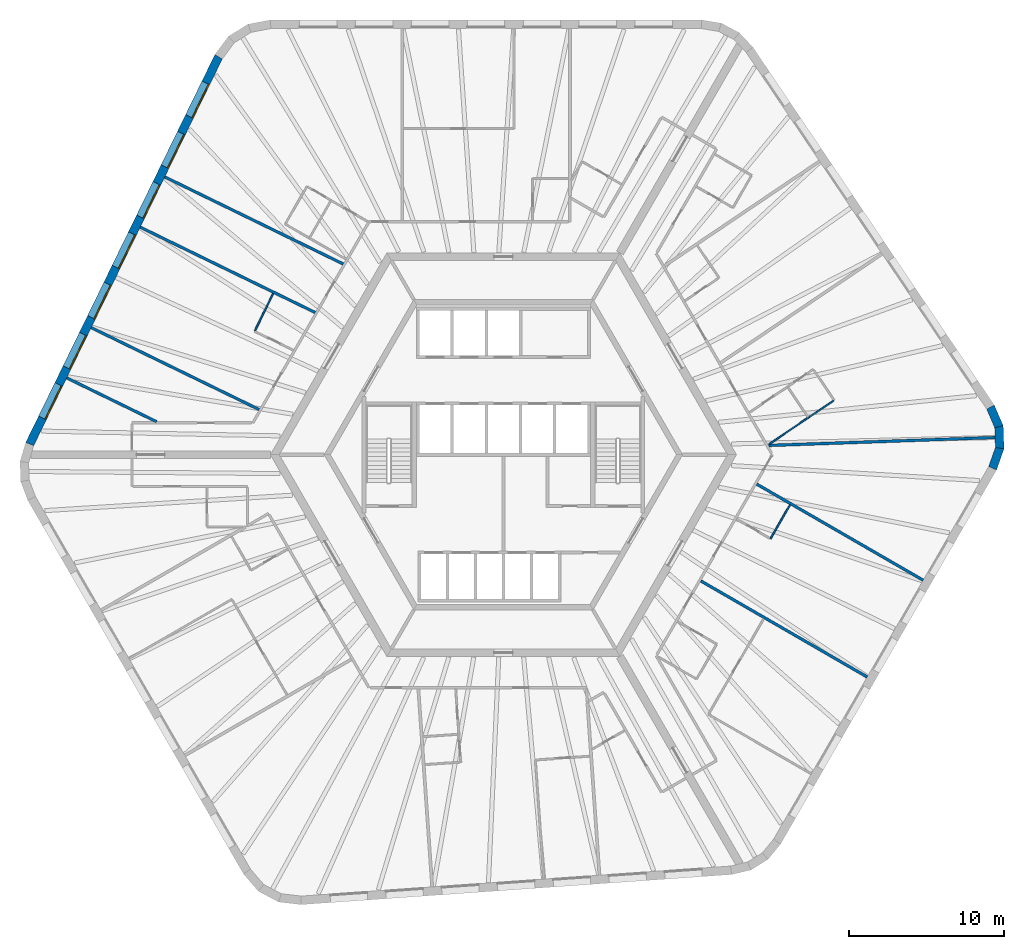
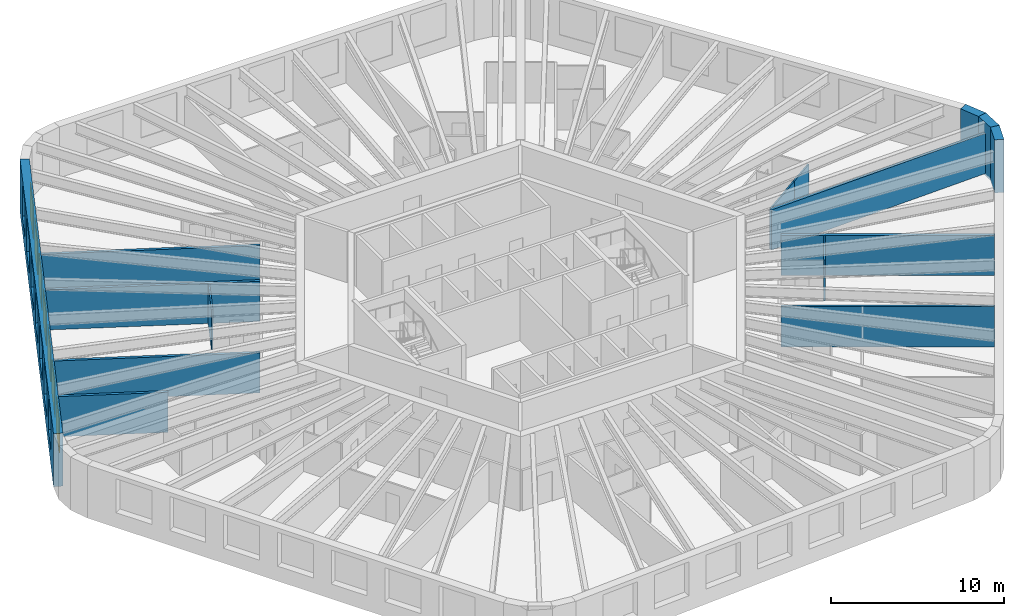
# One storey, part 6 of 10: 15 walls, 7 windows, 7 openings.
"""IFC4 building model written with IfcOpenShell, lengths in metres."""

import ifcopenshell
import ifcopenshell.guid

model = None  # the IFC model being written
_history = None  # IfcOwnerHistory: only IFC2X3 demands one
_inside = {}  # id of a spatial element -> (the spatial element, [elements in it])
_under = {}  # id of a project, library or spatial element -> (it, [spatial elements below it])
_declared = {}  # id of a project -> (the project, [libraries it declares])
_typed = {}  # id of a type object -> (the type object, [elements of that type])
_made_of = {}  # id of a material, layer set ... -> (it, [elements and type objects made of it])


def new_model(schema):
    """Start an empty IFC model of exactly this schema.

    Asked for "IFC4X3", IfcOpenShell would pick the latest addendum, in which some entities
    have other attributes; the version numbers below select the first issue.
    IFC2X3 requires an IfcOwnerHistory on every rooted entity: one is made here for all.
    """
    global model, _history
    if schema == "IFC4X3":
        model = ifcopenshell.file(schema_version=(4, 3, 0, 0))
    else:
        model = ifcopenshell.file(schema=schema)
    _inside.clear()
    _under.clear()
    _declared.clear()
    _typed.clear()
    _made_of.clear()
    _history = None
    if model.schema == "IFC2X3":
        org = make("IfcOrganization", Name="unknown")
        user = make(
            "IfcPersonAndOrganization",
            ThePerson=make("IfcPerson", FamilyName="unknown"),
            TheOrganization=org,
        )
        app = make(
            "IfcApplication",
            ApplicationDeveloper=org,
            Version="unknown",
            ApplicationFullName="unknown",
            ApplicationIdentifier="unknown",
        )
        _history = make(
            "IfcOwnerHistory",
            OwningUser=user,
            OwningApplication=app,
            ChangeAction="ADDED",
            CreationDate=0,
        )
    return model


def make(cls, **values):
    """One entity of the class cls with the attributes given. An attribute that is None is left unset."""
    return model.create_entity(
        cls, **{name: value for name, value in values.items() if value is not None}
    )


def rooted(cls, **values):
    """An entity with a GlobalId (a new one), such as an element, a storey or a relation."""
    return make(cls, GlobalId=ifcopenshell.guid.new(), OwnerHistory=_history, **values)


def si_unit(unit_type, name, prefix=None):
    """IfcSIUnit, for example si_unit("LENGTHUNIT", "METRE", prefix="MILLI")."""
    return make("IfcSIUnit", UnitType=unit_type, Prefix=prefix, Name=name)


def assignment(units):
    """IfcUnitAssignment: the units of a project."""
    return None if units is None else make("IfcUnitAssignment", Units=units)


def point(xyz):
    """IfcCartesianPoint."""
    return None if xyz is None else make("IfcCartesianPoint", Coordinates=xyz)


def direction(xyz):
    """IfcDirection."""
    return None if xyz is None else make("IfcDirection", DirectionRatios=xyz)


def frame(location, z_axis=None, x_axis=None):
    """IfcAxis2Placement3D, a coordinate frame: its origin and axes. An axis left out is left unset."""
    return make(
        "IfcAxis2Placement3D",
        Location=point(location),
        Axis=direction(z_axis),
        RefDirection=direction(x_axis),
    )


def frame_2d(location, x_axis=None):
    """IfcAxis2Placement2D, a coordinate frame in the plane: its origin and x axis."""
    return make(
        "IfcAxis2Placement2D", Location=point(location), RefDirection=direction(x_axis)
    )


def origin():
    """The frame at (0, 0, 0) with its axes left unset."""
    return frame((0.0, 0.0, 0.0))


def place(relative_to, where):
    """IfcLocalPlacement: puts the frame where relative to a parent placement (None: the world)."""
    return make(
        "IfcLocalPlacement", PlacementRelTo=relative_to, RelativePlacement=where
    )


def context(
    kind, dimensions, precision=None, world=None, true_north=None, identifier=None
):
    """IfcGeometricRepresentationContext, for example the 3D "Model" context."""
    return make(
        "IfcGeometricRepresentationContext",
        ContextIdentifier=identifier,
        ContextType=kind,
        CoordinateSpaceDimension=dimensions,
        Precision=precision,
        WorldCoordinateSystem=world,
        TrueNorth=true_north,
    )


def subcontext(parent, identifier, kind, view, scale=None):
    """IfcGeometricRepresentationSubContext, for example "Body" below "Model"."""
    return make(
        "IfcGeometricRepresentationSubContext",
        ContextIdentifier=identifier,
        ContextType=kind,
        ParentContext=parent,
        TargetScale=scale,
        TargetView=view,
    )


def project(units=None, contexts=None):
    """IfcProject with its units and contexts."""
    return rooted(
        "IfcProject",
        Name="project",
        RepresentationContexts=contexts,
        UnitsInContext=assignment(units),
    )


def spatial(cls, under=None, at=None, **own):
    """A site, building, storey or space (cls), placed at a placement, below another one or the project."""
    s = rooted(cls, ObjectPlacement=at, **own)
    if under is not None:
        _under.setdefault(under.id(), (under, []))[1].append(s)
    return s


def polyline(points):
    """IfcPolyline through the points."""
    return make("IfcPolyline", Points=[point(p) for p in points])


def profile(cls, at=None, kind="AREA", **sizes):
    """A parametric profile (cls). Its sizes go by their IFC names, for example OverallWidth=200.0."""
    return make(cls, ProfileType=kind, Position=at, **sizes)


def rectangle(**sizes):
    """IfcRectangleProfileDef."""
    return profile("IfcRectangleProfileDef", **sizes)


def outline(outer, holes=None, kind="AREA"):
    """IfcArbitraryClosedProfileDef: a profile drawn as a closed curve; with holes, ...WithVoids."""
    if holes is None:
        return make("IfcArbitraryClosedProfileDef", ProfileType=kind, OuterCurve=outer)
    return make(
        "IfcArbitraryProfileDefWithVoids",
        ProfileType=kind,
        OuterCurve=outer,
        InnerCurves=holes,
    )


def extrude(swept, where, along, depth):
    """IfcExtrudedAreaSolid: the profile swept, set in the frame where, extruded along a direction by depth."""
    return make(
        "IfcExtrudedAreaSolid",
        SweptArea=swept,
        Position=where,
        ExtrudedDirection=direction(along),
        Depth=depth,
    )


def shape(context_of_items, identifier, shape_type, items):
    """IfcShapeRepresentation: the items that make up one representation, for example the "Body"."""
    return make(
        "IfcShapeRepresentation",
        ContextOfItems=context_of_items,
        RepresentationIdentifier=identifier,
        RepresentationType=shape_type,
        Items=items,
    )


def material(Name=None, Category=None):
    """IfcMaterial."""
    return make("IfcMaterial", Name=Name, Category=Category)


def layer(
    of_material, thickness, ventilated=None, Name=None, Category=None, Priority=None
):
    """IfcMaterialLayer: one layer of a wall or slab, of a material (None: an air gap)."""
    return make(
        "IfcMaterialLayer",
        Material=of_material,
        LayerThickness=thickness,
        IsVentilated=ventilated,
        Name=Name,
        Category=Category,
        Priority=Priority,
    )


def layer_set(layers, Name=None):
    """IfcMaterialLayerSet."""
    return make("IfcMaterialLayerSet", MaterialLayers=layers, LayerSetName=Name)


def made_of(thing, what):
    """Note that an element or type object is made of a material, layer set ...; save() writes the relation."""
    if what is not None:
        _made_of.setdefault(what.id(), (what, []))[1].append(thing)
    return thing


def type_object(cls, material=None, **own):
    """A type object (cls), such as IfcWallType, which elements share."""
    return made_of(rooted(cls, **own), material)


def element(
    cls,
    number,
    at=None,
    inside=None,
    cuts=None,
    type_object=None,
    material=None,
    context=None,
    identifier="Body",
    shape_type=None,
    held_by="IfcProductDefinitionShape",
    body=None,
    shapes=None,
    **own,
):
    """One element of the class cls, such as IfcWall. Its Tag is "e" and its number.

    at: its placement. inside: the storey or other place that contains it. cuts: it is an
    opening in that element (IfcRelVoidsElement). A single representation is given by context,
    identifier, shape_type and body (its items); several are given by shapes. held_by: the class
    of the entity that holds the representations. save() writes the other relations.
    """
    e = rooted(cls, Tag="e%d" % number, ObjectPlacement=at, **own)
    if body is not None:
        shapes = [shape(context, identifier, shape_type, body)]
    if shapes is not None:
        e.Representation = make(held_by, Representations=shapes)
    if inside is not None:
        _inside.setdefault(inside.id(), (inside, []))[1].append(e)
    if cuts is not None:
        rooted(
            "IfcRelVoidsElement", RelatingBuildingElement=cuts, RelatedOpeningElement=e
        )
    if type_object is not None:
        _typed.setdefault(type_object.id(), (type_object, []))[1].append(e)
    return made_of(e, material)


def fill(opening, filler):
    """IfcRelFillsElement: the door or window that sits in an opening."""
    return rooted(
        "IfcRelFillsElement",
        RelatingOpeningElement=opening,
        RelatedBuildingElement=filler,
    )


def aggregate(whole, parts):
    """IfcRelAggregates: a whole, such as a stair, and the parts it consists of."""
    return rooted("IfcRelAggregates", RelatingObject=whole, RelatedObjects=parts)


def save(model, path):
    """Write the relations noted so far, then the file.

    IfcRelAggregates (storeys below a building ...), IfcRelContainedInSpatialStructure (elements
    in a storey), IfcRelDefinesByType, IfcRelAssociatesMaterial and IfcRelDeclares: one each for
    every whole, place, type object, material and project.
    """
    for whole, parts in _under.values():
        aggregate(whole, parts)
    for where, things in _inside.values():
        rooted(
            "IfcRelContainedInSpatialStructure",
            RelatedElements=things,
            RelatingStructure=where,
        )
    for kind, things in _typed.values():
        rooted("IfcRelDefinesByType", RelatedObjects=things, RelatingType=kind)
    for what, things in _made_of.values():
        rooted("IfcRelAssociatesMaterial", RelatedObjects=things, RelatingMaterial=what)
    for by, libraries in _declared.values():
        rooted("IfcRelDeclares", RelatingContext=by, RelatedDefinitions=libraries)
    model.write(path)


model = new_model("IFC4")

# Units and contexts
model_context = context("Model", 3, precision=1e-05, world=origin(), true_north=direction((0.0, 1.0)))
body_context = subcontext(model_context, "Body", "Model", "MODEL_VIEW")
ifc_project = project(units=[si_unit("LENGTHUNIT", "METRE"), si_unit("AREAUNIT", "SQUARE_METRE"), si_unit("VOLUMEUNIT", "CUBIC_METRE"), si_unit("PLANEANGLEUNIT", "RADIAN"), si_unit("MASSUNIT", "GRAM", prefix="KILO")], contexts=[model_context])

# Site, building, storey
site_placement = place(None, origin())
site = spatial("IfcSite", under=ifc_project, at=site_placement, CompositionType="ELEMENT")
building_placement = place(site_placement, origin())
building = spatial("IfcBuilding", under=site, at=building_placement, Name="Tarnside Tower", CompositionType="ELEMENT")
storey_placement = place(building_placement, frame((0.0, 0.0, 246.300048828125)))
storey = spatial("IfcBuildingStorey", under=building, at=storey_placement, Name="L59", CompositionType="ELEMENT", Elevation=246.300048828125)

# Walls
ifc_material_1 = material(Name="Gypsum board partition on steel studs", Category="steel")
ifc_layer_1 = layer(ifc_material_1, 0.10009765625)
ifc_layer_set_1 = layer_set([ifc_layer_1], Name="Bathroom wall 100")
wall_type_1 = type_object("IfcWallType", Name="Bathroom wall 100", PredefinedType="PARTITIONING", material=ifc_layer_set_1)
wall_1_placement = place(storey_placement, frame((-16.000732421875, 7.990966796875, 0.0), z_axis=(0.0, 0.0, 1.0), x_axis=(0.438344066549, 0.89880725371, 0.0)))
element("IfcWall", 1, at=wall_1_placement, inside=storey, type_object=wall_type_1, Name="Bathroom wall 19072", PredefinedType="PARTITIONING", context=body_context, shape_type="SweptSolid", body=[
    extrude(rectangle(XDim=2.66015625, YDim=0.10009765625, at=frame_2d((1.330078125, 0.0))), origin(), (0.0, 0.0, 1.0), 2.837646484375),
])
wall_2_placement = place(storey_placement, frame((18.4560546875, -3.2333984375, 0.0), z_axis=(0.0, 0.0, 1.0), x_axis=(-0.500062048339, -0.865989577195, 0.0)))
element("IfcWall", 2, at=wall_2_placement, inside=storey, type_object=wall_type_1, Name="Bathroom wall 19105", PredefinedType="PARTITIONING", context=body_context, shape_type="SweptSolid", body=[
    extrude(rectangle(XDim=2.510009765625, YDim=0.10009765625, at=frame_2d((1.2548828125, 0.0))), origin(), (0.0, 0.0, 1.0), 2.837646484375),
])
wall_3_placement = place(storey_placement, frame((19.6416015625, 2.389404296875, 0.0), z_axis=(0.0, 0.0, 1.0), x_axis=(-0.82902628405, -0.559209639004, 0.0)))
element("IfcWall", 3, at=wall_3_placement, inside=storey, type_object=wall_type_1, Name="Bathroom wall 19111", PredefinedType="PARTITIONING", context=body_context, shape_type="SweptSolid", body=[
    extrude(rectangle(XDim=3.04296875, YDim=0.10009765625, at=frame_2d((1.521484375, 0.0))), origin(), (0.0, 0.0, 1.0), 2.837646484375),
])
ifc_layer_2 = layer(ifc_material_1, 0.179931640625)
ifc_layer_set_2 = layer_set([ifc_layer_2], Name="Demising wall 180 EI 60")
wall_type_2 = type_object("IfcWallType", Name="Demising wall 180 EI 60", PredefinedType="PARTITIONING", material=ifc_layer_set_2)
wall_4_placement = place(storey_placement, frame((-21.814697265625, 17.8916015625, 0.0), z_axis=(0.0, 0.0, 1.0), x_axis=(0.898799253997, -0.438360469265, 0.0)))
element("IfcWall", 4, at=wall_4_placement, inside=storey, type_object=wall_type_2, Name="Demising wall 19067", PredefinedType="PARTITIONING", context=body_context, shape_type="SweptSolid", body=[
    extrude(rectangle(XDim=12.7939453125, YDim=0.179931640625, at=frame_2d((6.39697265625, 0.0))), origin(), (0.0, 0.0, 1.0), 2.837646484375),
])
wall_5_placement = place(storey_placement, frame((-23.392822265625, 14.656005859375, 0.0), z_axis=(0.0, 0.0, 1.0), x_axis=(0.898790706576, -0.43837799417, 0.0)))
element("IfcWall", 5, at=wall_5_placement, inside=storey, type_object=wall_type_2, Name="Demising wall 19069", PredefinedType="PARTITIONING", context=body_context, shape_type="SweptSolid", body=[
    extrude(rectangle(XDim=12.542236328125, YDim=0.179931640625, at=frame_2d((6.27099609375, 0.0))), origin(), (0.0, 0.0, 1.0), 2.837646484375),
])
wall_6_placement = place(storey_placement, frame((-26.549072265625, 8.1845703125, 0.0), z_axis=(0.0, 0.0, 1.0), x_axis=(0.8987965099, -0.438366095623, 0.0)))
element("IfcWall", 6, at=wall_6_placement, inside=storey, type_object=wall_type_2, Name="Demising wall 19073", PredefinedType="PARTITIONING", context=body_context, shape_type="SweptSolid", body=[
    extrude(rectangle(XDim=12.03857421875, YDim=0.179931640625, at=frame_2d((6.019287109375, 0.0))), origin(), (0.0, 0.0, 1.0), 2.837646484375),
])
wall_7_placement = place(storey_placement, frame((-28.127197265625, 4.948974609375, 0.0), z_axis=(0.0, 0.0, 1.0), x_axis=(0.898795032868, -0.438369124017, 0.0)))
element("IfcWall", 7, at=wall_7_placement, inside=storey, type_object=wall_type_2, Name="Demising wall 19074", PredefinedType="PARTITIONING", context=body_context, shape_type="SweptSolid", body=[
    extrude(rectangle(XDim=6.44189453125, YDim=0.179931640625, at=frame_2d((3.220947265625, 0.0))), origin(), (0.0, 0.0, 1.0), 2.837646484375),
])
for number, where, z_axis, x_axis, name in (
    (8, (23.431396484375, -14.315673828125, 0.0), (0.0, 0.0, 1.0), (-0.866024931941, 0.500000817256, 0.0), "Demising wall 19103"),
    (9, (27.03125, -8.080322265625, 0.0), (0.0, 0.0, 1.0), (-0.866024931941, 0.500000817256, 0.0), "Demising wall 19107"),
):
    element("IfcWall", number, at=place(storey_placement, frame(where, z_axis=z_axis, x_axis=x_axis)), inside=storey, type_object=wall_type_2, Name=name, PredefinedType="PARTITIONING", context=body_context, shape_type="SweptSolid", body=[
        extrude(rectangle(XDim=12.375, YDim=0.179931640625, at=frame_2d((6.1875, 0.0))), origin(), (0.0, 0.0, 1.0), 2.837646484375),
    ])
wall_8_placement = place(storey_placement, frame((31.66650390625, 1.105712890625, 0.0), z_axis=(0.0, 0.0, 1.0), x_axis=(-0.999391305206, -0.034885800543, 0.0)))
element("IfcWall", 10, at=wall_8_placement, inside=storey, type_object=wall_type_2, Name="Demising wall 19109", PredefinedType="PARTITIONING", context=body_context, shape_type="SweptSolid", body=[
    extrude(rectangle(XDim=14.6123046875, YDim=0.179931640625, at=frame_2d((7.30615234375, 0.0))), origin(), (0.0, 0.0, 1.0), 2.837646484375),
])
ifc_layer_3 = layer(ifc_material_1, 0.10009765625)
ifc_layer_set_3 = layer_set([ifc_layer_3], Name="Partition 100")
wall_type_3 = type_object("IfcWallType", Name="Partition 100", PredefinedType="PARTITIONING", material=ifc_layer_set_3)
wall_9_placement = place(storey_placement, frame((21.25830078125, 3.47998046875, 0.0), z_axis=(0.0, 0.0, 1.0), x_axis=(-0.82903334026, -0.559199178055, 0.0)))
element("IfcWall", 11, at=wall_9_placement, inside=storey, type_object=wall_type_3, Name="Partition wall 19114", PredefinedType="PARTITIONING", context=body_context, shape_type="SweptSolid", body=[
    extrude(rectangle(XDim=1.900146484375, YDim=0.10009765625, at=frame_2d((0.9501953125, 0.0))), origin(), (0.0, 0.0, 1.0), 2.837646484375),
])

# Wall, openings, windows
ifc_material_2 = material(Name="Facing brick", Category="masonry")
ifc_layer_4 = layer(ifc_material_2, 0.10205078125)
ifc_material_3 = material(Name="Concrete C60/75 precast", Category="concrete")
ifc_layer_5 = layer(ifc_material_3, 0.347900390625)
ifc_material_4 = material(Name="Mineral wool insulation")
ifc_layer_6 = layer(ifc_material_4, 0.10009765625)
ifc_layer_set_4 = layer_set([ifc_layer_4, ifc_layer_5, ifc_layer_6], Name="Tube wall 550 brick faced")
wall_type_4 = type_object("IfcWallType", Name="Tube wall 550 brick faced", PredefinedType="SOLIDWALL", material=ifc_layer_set_4)
wall_10_placement = place(storey_placement, frame((-18.344970703125, 25.6328125, -0.150146484375), z_axis=(0.0, 0.0, 1.0), x_axis=(-0.43837181828, -0.898793718791, 0.0)))
wall_10 = element("IfcWall", 12, at=wall_10_placement, inside=storey, type_object=wall_type_4, Name="Tube wall L59 F2 flush 04", PredefinedType="SOLIDWALL", context=body_context, shape_type="SweptSolid", body=[
    extrude(outline(polyline([(-0.025634765625, -0.27490234375), (27.7802734375, -0.27490234375), (27.7353515625, 0.27490234375), (0.025634765625, 0.27490234375), (-0.025634765625, -0.27490234375)])), origin(), (0.0, 0.0, 1.0), 3.75),
])
opening_1_placement = place(wall_10_placement, frame((1.87890625, 0.0, 1.050048828125)))
opening_1 = element("IfcOpeningElement", 13, at=opening_1_placement, cuts=wall_10, Name="Opening WH", PredefinedType="OPENING", context=body_context, shape_type="SweptSolid", body=[
    extrude(rectangle(XDim=2.39990234375, YDim=2.39990234375, at=frame_2d((1.199951171875, 1.199951171875))), frame((0.0, 0.28515625, 0.0), z_axis=(0.0, -1.0, 0.0), x_axis=(1.0, 0.0, 0.0)), (0.0, 0.0, 1.0), 0.570068359375),
])
opening_2_placement = place(wall_10_placement, frame((5.47900390625, 0.0, 1.050048828125)))
opening_2 = element("IfcOpeningElement", 14, at=opening_2_placement, cuts=wall_10, Name="Opening WH", PredefinedType="OPENING", context=body_context, shape_type="SweptSolid", body=[
    extrude(rectangle(XDim=2.39990234375, YDim=2.39990234375, at=frame_2d((1.199951171875, 1.199951171875))), frame((0.0, 0.28515625, 0.0), z_axis=(0.0, -1.0, 0.0), x_axis=(1.0, 0.0, 0.0)), (0.0, 0.0, 1.0), 0.570068359375),
])
opening_3_placement = place(wall_10_placement, frame((9.078857421875, 0.0, 1.050048828125)))
opening_3 = element("IfcOpeningElement", 15, at=opening_3_placement, cuts=wall_10, Name="Opening WH", PredefinedType="OPENING", context=body_context, shape_type="SweptSolid", body=[
    extrude(rectangle(XDim=2.39990234375, YDim=2.39990234375, at=frame_2d((1.199951171875, 1.199951171875))), frame((0.0, 0.28515625, 0.0), z_axis=(0.0, -1.0, 0.0), x_axis=(1.0, 0.0, 0.0)), (0.0, 0.0, 1.0), 0.570068359375),
])
opening_4_placement = place(wall_10_placement, frame((12.678955078125, 0.0, 1.050048828125)))
opening_4 = element("IfcOpeningElement", 16, at=opening_4_placement, cuts=wall_10, Name="Opening WH", PredefinedType="OPENING", context=body_context, shape_type="SweptSolid", body=[
    extrude(rectangle(XDim=2.39990234375, YDim=2.39990234375, at=frame_2d((1.199951171875, 1.199951171875))), frame((0.0, 0.28515625, 0.0), z_axis=(0.0, -1.0, 0.0), x_axis=(1.0, 0.0, 0.0)), (0.0, 0.0, 1.0), 0.570068359375),
])
opening_5_placement = place(wall_10_placement, frame((16.27880859375, 0.0, 1.050048828125)))
opening_5 = element("IfcOpeningElement", 17, at=opening_5_placement, cuts=wall_10, Name="Opening WH", PredefinedType="OPENING", context=body_context, shape_type="SweptSolid", body=[
    extrude(rectangle(XDim=2.39990234375, YDim=2.39990234375, at=frame_2d((1.199951171875, 1.199951171875))), frame((0.0, 0.28515625, 0.0), z_axis=(0.0, -1.0, 0.0), x_axis=(1.0, 0.0, 0.0)), (0.0, 0.0, 1.0), 0.570068359375),
])
opening_6_placement = place(wall_10_placement, frame((19.87890625, 0.0, 1.050048828125)))
opening_6 = element("IfcOpeningElement", 18, at=opening_6_placement, cuts=wall_10, Name="Opening WH", PredefinedType="OPENING", context=body_context, shape_type="SweptSolid", body=[
    extrude(rectangle(XDim=2.39990234375, YDim=2.39990234375, at=frame_2d((1.199951171875, 1.199951171875))), frame((0.0, 0.28515625, 0.0), z_axis=(0.0, -1.0, 0.0), x_axis=(1.0, 0.0, 0.0)), (0.0, 0.0, 1.0), 0.570068359375),
])
opening_7_placement = place(wall_10_placement, frame((23.47900390625, 0.0, 1.050048828125)))
opening_7 = element("IfcOpeningElement", 19, at=opening_7_placement, cuts=wall_10, Name="Opening WH", PredefinedType="OPENING", context=body_context, shape_type="SweptSolid", body=[
    extrude(rectangle(XDim=2.39990234375, YDim=2.39990234375, at=frame_2d((1.199951171875, 1.199951171875))), frame((0.0, 0.28515625, 0.0), z_axis=(0.0, -1.0, 0.0), x_axis=(1.0, 0.0, 0.0)), (0.0, 0.0, 1.0), 0.570068359375),
])
ifc_material_5 = material(Name="Aluminium-framed double glazing", Category="aluminium")
window_type = type_object("IfcWindowType", Name="Hotel window 2400 x 2400", PartitioningType="DOUBLE_PANEL_VERTICAL", PredefinedType="WINDOW", material=ifc_material_5)
window_1_placement = place(opening_1_placement, frame((0.0, 0.205078125, 0.0)))
window_1 = element("IfcWindow", 20, at=window_1_placement, inside=storey, type_object=window_type, Name="E.WN.L59.F2.00", OverallHeight=2.39990234375, OverallWidth=2.39990234375, PartitioningType="DOUBLE_PANEL_VERTICAL", PredefinedType="WINDOW", context=body_context, shape_type="SweptSolid", body=[
    extrude(rectangle(XDim=2.39990234375, YDim=2.39990234375, at=frame_2d((1.199951171875, 1.199951171875))), frame((0.0, 0.030029296875, 0.0), z_axis=(0.0, -1.0, 0.0), x_axis=(1.0, 0.0, 0.0)), (0.0, 0.0, 1.0), 0.06005859375),
])
fill(opening_1, window_1)
window_2_placement = place(opening_2_placement, frame((0.0, 0.205078125, 0.0)))
window_2 = element("IfcWindow", 21, at=window_2_placement, inside=storey, type_object=window_type, Name="E.WN.L59.F2.01", OverallHeight=2.39990234375, OverallWidth=2.39990234375, PartitioningType="DOUBLE_PANEL_VERTICAL", PredefinedType="WINDOW", context=body_context, shape_type="SweptSolid", body=[
    extrude(rectangle(XDim=2.39990234375, YDim=2.39990234375, at=frame_2d((1.199951171875, 1.199951171875))), frame((0.0, 0.030029296875, 0.0), z_axis=(0.0, -1.0, 0.0), x_axis=(1.0, 0.0, 0.0)), (0.0, 0.0, 1.0), 0.06005859375),
])
fill(opening_2, window_2)
window_3_placement = place(opening_3_placement, frame((0.0, 0.205078125, 0.0)))
window_3 = element("IfcWindow", 22, at=window_3_placement, inside=storey, type_object=window_type, Name="E.WN.L59.F2.02", OverallHeight=2.39990234375, OverallWidth=2.39990234375, PartitioningType="DOUBLE_PANEL_VERTICAL", PredefinedType="WINDOW", context=body_context, shape_type="SweptSolid", body=[
    extrude(rectangle(XDim=2.39990234375, YDim=2.39990234375, at=frame_2d((1.199951171875, 1.199951171875))), frame((0.0, 0.030029296875, 0.0), z_axis=(0.0, -1.0, 0.0), x_axis=(1.0, 0.0, 0.0)), (0.0, 0.0, 1.0), 0.06005859375),
])
fill(opening_3, window_3)
window_4_placement = place(opening_4_placement, frame((0.0, 0.205078125, 0.0)))
window_4 = element("IfcWindow", 23, at=window_4_placement, inside=storey, type_object=window_type, Name="E.WN.L59.F2.03", OverallHeight=2.39990234375, OverallWidth=2.39990234375, PartitioningType="DOUBLE_PANEL_VERTICAL", PredefinedType="WINDOW", context=body_context, shape_type="SweptSolid", body=[
    extrude(rectangle(XDim=2.39990234375, YDim=2.39990234375, at=frame_2d((1.199951171875, 1.199951171875))), frame((0.0, 0.030029296875, 0.0), z_axis=(0.0, -1.0, 0.0), x_axis=(1.0, 0.0, 0.0)), (0.0, 0.0, 1.0), 0.06005859375),
])
fill(opening_4, window_4)
window_5_placement = place(opening_5_placement, frame((0.0, 0.205078125, 0.0)))
window_5 = element("IfcWindow", 24, at=window_5_placement, inside=storey, type_object=window_type, Name="E.WN.L59.F2.04", OverallHeight=2.39990234375, OverallWidth=2.39990234375, PartitioningType="DOUBLE_PANEL_VERTICAL", PredefinedType="WINDOW", context=body_context, shape_type="SweptSolid", body=[
    extrude(rectangle(XDim=2.39990234375, YDim=2.39990234375, at=frame_2d((1.199951171875, 1.199951171875))), frame((0.0, 0.030029296875, 0.0), z_axis=(0.0, -1.0, 0.0), x_axis=(1.0, 0.0, 0.0)), (0.0, 0.0, 1.0), 0.06005859375),
])
fill(opening_5, window_5)
window_6_placement = place(opening_6_placement, frame((0.0, 0.205078125, 0.0)))
window_6 = element("IfcWindow", 25, at=window_6_placement, inside=storey, type_object=window_type, Name="E.WN.L59.F2.05", OverallHeight=2.39990234375, OverallWidth=2.39990234375, PartitioningType="DOUBLE_PANEL_VERTICAL", PredefinedType="WINDOW", context=body_context, shape_type="SweptSolid", body=[
    extrude(rectangle(XDim=2.39990234375, YDim=2.39990234375, at=frame_2d((1.199951171875, 1.199951171875))), frame((0.0, 0.030029296875, 0.0), z_axis=(0.0, -1.0, 0.0), x_axis=(1.0, 0.0, 0.0)), (0.0, 0.0, 1.0), 0.06005859375),
])
fill(opening_6, window_6)
window_7_placement = place(opening_7_placement, frame((0.0, 0.205078125, 0.0)))
window_7 = element("IfcWindow", 26, at=window_7_placement, inside=storey, type_object=window_type, Name="E.WN.L59.F2.06", OverallHeight=2.39990234375, OverallWidth=2.39990234375, PartitioningType="DOUBLE_PANEL_VERTICAL", PredefinedType="WINDOW", context=body_context, shape_type="SweptSolid", body=[
    extrude(rectangle(XDim=2.39990234375, YDim=2.39990234375, at=frame_2d((1.199951171875, 1.199951171875))), frame((0.0, 0.030029296875, 0.0), z_axis=(0.0, -1.0, 0.0), x_axis=(1.0, 0.0, 0.0)), (0.0, 0.0, 1.0), 0.06005859375),
])
fill(opening_7, window_7)

# Walls
wall_11_placement = place(storey_placement, frame((31.509033203125, -0.874755859375, -0.150146484375), z_axis=(0.0, 0.0, 1.0), x_axis=(0.33111537203, 0.943590276765, 0.0)))
element("IfcWall", 27, at=wall_11_placement, inside=storey, type_object=wall_type_4, Name="Tube wall L59 F5 chord 17", PredefinedType="SOLIDWALL", context=body_context, shape_type="SweptSolid", body=[
    extrude(outline(polyline([(-0.025634765625, -0.27490234375), (1.4306640625, -0.27490234375), (1.3271484375, 0.27490234375), (0.025634765625, 0.27490234375), (-0.025634765625, -0.27490234375)])), origin(), (0.0, 0.0, 1.0), 3.75),
])
wall_12_placement = place(storey_placement, frame((31.965576171875, 0.42626953125, -0.150146484375), z_axis=(0.0, 0.0, 1.0), x_axis=(-0.034876908462, 0.999391615562, 0.0)))
element("IfcWall", 28, at=wall_12_placement, inside=storey, type_object=wall_type_4, Name="Tube wall L59 F5 chord 18", PredefinedType="SOLIDWALL", context=body_context, shape_type="SweptSolid", body=[
    extrude(outline(polyline([(-0.0517578125, -0.27490234375), (1.4306640625, -0.27490234375), (1.3271484375, 0.27490234375), (0.0517578125, 0.27490234375), (-0.0517578125, -0.27490234375)])), origin(), (0.0, 0.0, 1.0), 3.75),
])
wall_13_placement = place(storey_placement, frame((31.91748046875, 1.804443359375, -0.150146484375), z_axis=(0.0, 0.0, 1.0), x_axis=(-0.396225741392, 0.918153125496, 0.0)))
element("IfcWall", 29, at=wall_13_placement, inside=storey, type_object=wall_type_4, Name="Tube wall L59 F5 chord 19", PredefinedType="SOLIDWALL", context=body_context, shape_type="SweptSolid", body=[
    extrude(outline(polyline([(-0.0517578125, -0.27490234375), (1.404541015625, -0.27490234375), (1.353271484375, 0.27490234375), (0.0517578125, 0.27490234375), (-0.0517578125, -0.27490234375)])), origin(), (0.0, 0.0, 1.0), 3.75),
])

save(model, "model.ifc")
